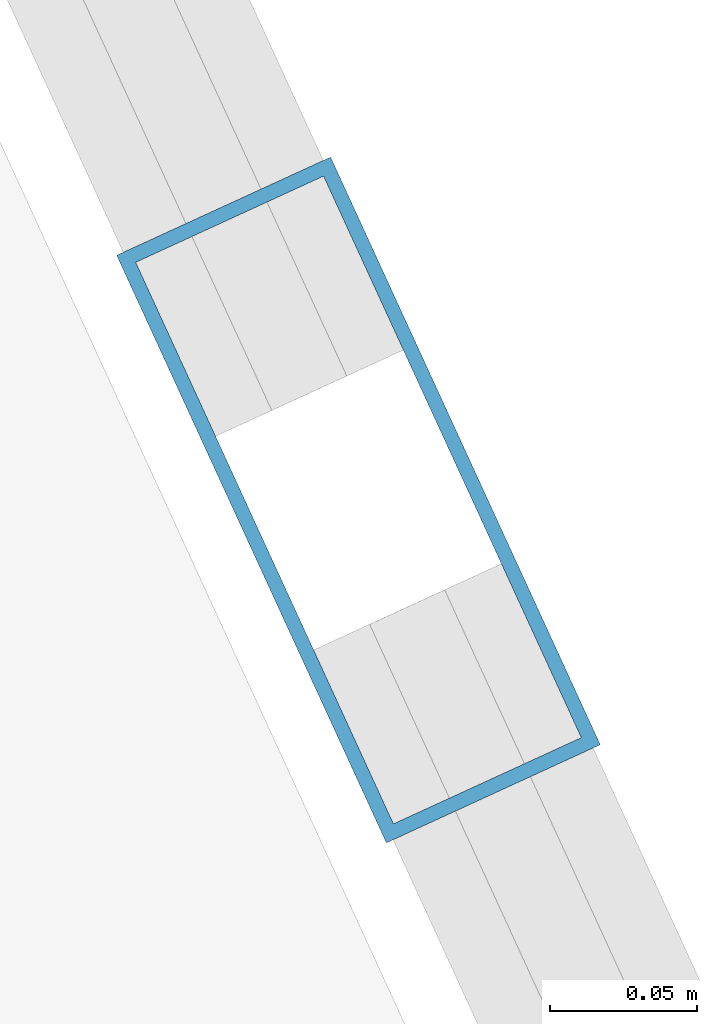
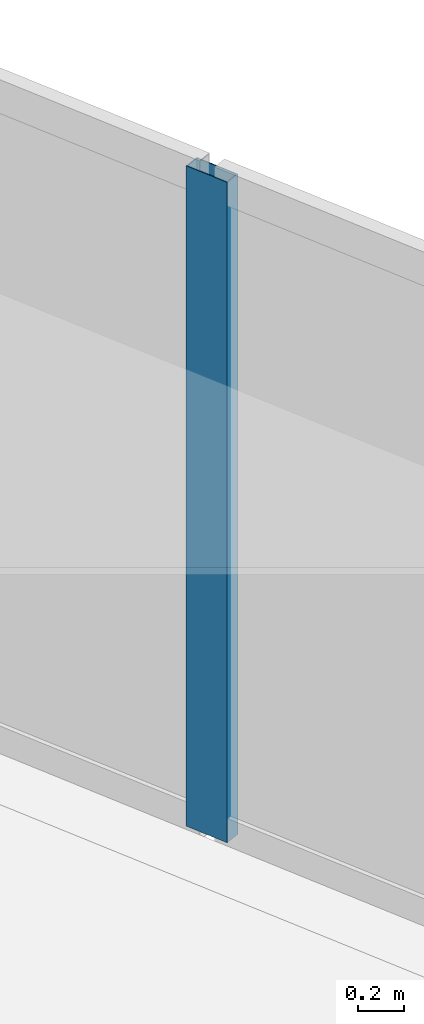
# One storey, part 14 of 24: 1 member, 1 element without a shape of its own.
"""IFC4 building model written with IfcOpenShell, lengths in metres."""

from ifc_helpers import new_model, si_unit, direction, frame, origin, origin_2d, place, context, subcontext, project, spatial, hollow_rectangle, extrude, source, transform, mapped, material, layer, layer_set, material_profile, profile_set, type_object, type_shapes, element, aggregate, save


model = new_model("IFC4")

# Units and contexts
model_context = context("Model", 3, precision=1e-05, world=origin(), true_north=direction((0.0, 1.0)))
body_context = subcontext(model_context, "Body", "Model", "MODEL_VIEW")
ifc_project = project(units=[si_unit("LENGTHUNIT", "METRE"), si_unit("AREAUNIT", "SQUARE_METRE"), si_unit("VOLUMEUNIT", "CUBIC_METRE"), si_unit("PLANEANGLEUNIT", "RADIAN"), si_unit("MASSUNIT", "GRAM", prefix="KILO")], contexts=[model_context])

# Site, building, storey
site_placement = place(None, origin())
site = spatial("IfcSite", under=ifc_project, at=site_placement, CompositionType="ELEMENT")
building_placement = place(site_placement, origin())
building = spatial("IfcBuilding", under=site, at=building_placement, Name="Talar Marvaseh", CompositionType="ELEMENT")
storey_placement = place(building_placement, frame((0.0, 0.0, 39.199951171875)))
storey = spatial("IfcBuildingStorey", under=building, at=storey_placement, Name="L09", CompositionType="ELEMENT", Elevation=39.199951171875)

# Curtain wall, member
ifc_material = material(Name="Architectural Aluminium", Category="aluminium")
ifc_layer = layer(ifc_material, 0.219970703125)
ifc_layer_set = layer_set([ifc_layer], Name="Architectural Aluminium")
curtain_wall_type = type_object("IfcCurtainWallType", Name="Unitised Low-E Museum Curtain Wall Z1", PredefinedType="NOTDEFINED", material=ifc_layer_set)
curtain_wall_placement = place(storey_placement, origin())
curtain_wall = element("IfcCurtainWall", 1, at=curtain_wall_placement, inside=storey, type_object=curtain_wall_type, Name="L09 Unitised Low-E Museum Curtain Wall Z1", PredefinedType="NOTDEFINED")
ifc_material_profile = material_profile(ifc_material, hollow_rectangle(XDim=0.080078125, YDim=0.219970703125, WallThickness=0.0048828125, at=origin_2d()), Name="RHS220x80x5")
ifc_profile_set = profile_set([ifc_material_profile], Name="Architectural Aluminium")
member_type = type_object("IfcMemberType", Name="Unitised Curtain Wall Heavy Mullion RHS220x80x5", PredefinedType="MULLION", material=ifc_profile_set)
shared_shape = source(origin(), body_context, "Body", "SweptSolid", [
    extrude(hollow_rectangle(XDim=0.080078125, YDim=0.219970703125, WallThickness=0.0048828125, at=origin_2d()), origin(), (0.0, 0.0, 1.0), 3.52001953125),
])
type_shapes(member_type, [shared_shape])
member_placement = place(storey_placement, frame((50.01123046875, 27.5771484375, 0.0), z_axis=(0.0, 0.0, 1.0), x_axis=(0.908844674972, 0.417134698599, 0.0)))
member = element("IfcMember", 2, at=member_placement, type_object=member_type, Name="CW-Z1 mullion 4", PredefinedType="MULLION", context=body_context, shape_type="MappedRepresentation", body=[
    mapped(shared_shape, transform((0.0, 0.0, 0.0), x_axis=(1.0, 0.0, 0.0), y_axis=(0.0, 1.0, 0.0), z_axis=(0.0, 0.0, 1.0), scale=1.0)),
])
aggregate(curtain_wall, [member])

save(model, "model.ifc")
